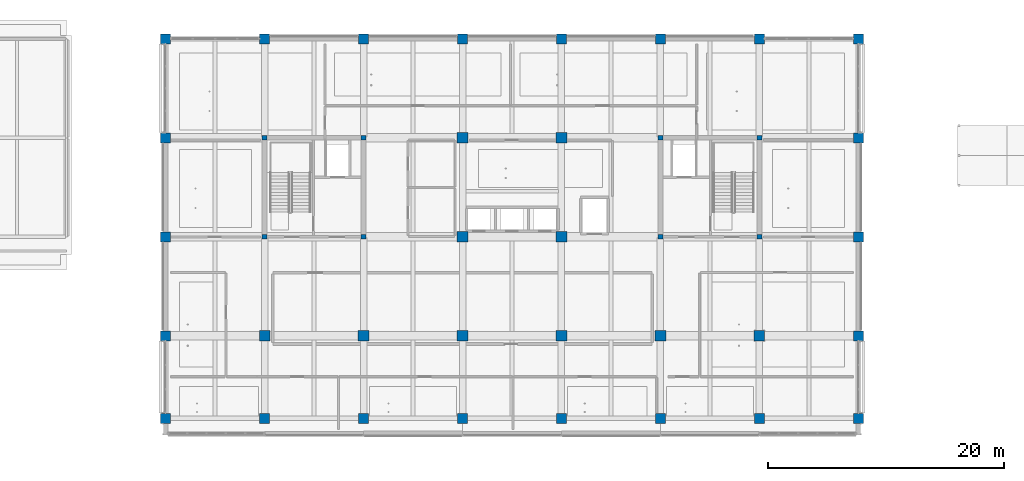
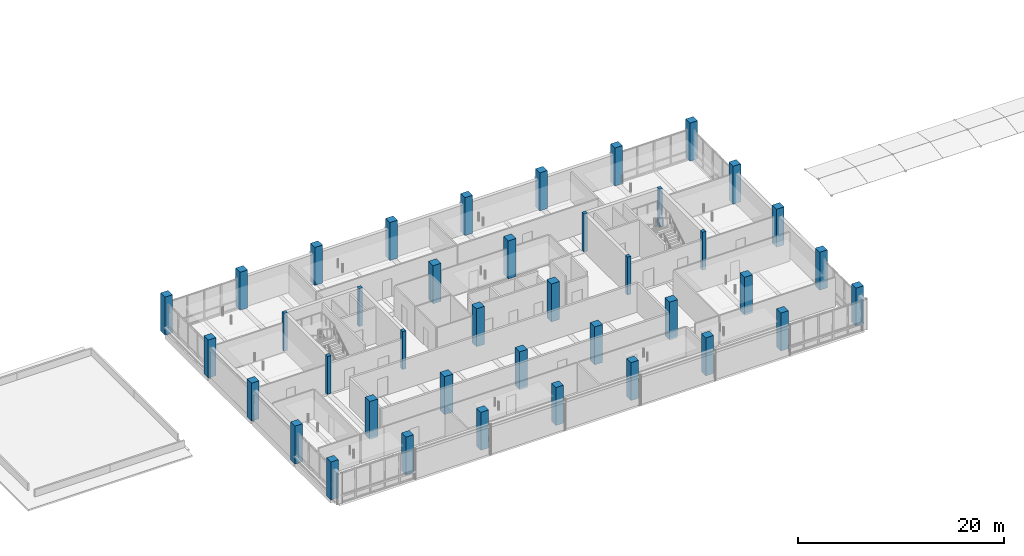
# One storey, part 1 of 39: 40 columns.
"""IFC4 building model written with IfcOpenShell, lengths in metres."""

import ifcopenshell
import ifcopenshell.guid

model = None  # the IFC model being written
_history = None  # IfcOwnerHistory: only IFC2X3 demands one
_inside = {}  # id of a spatial element -> (the spatial element, [elements in it])
_under = {}  # id of a project, library or spatial element -> (it, [spatial elements below it])
_declared = {}  # id of a project -> (the project, [libraries it declares])
_typed = {}  # id of a type object -> (the type object, [elements of that type])
_made_of = {}  # id of a material, layer set ... -> (it, [elements and type objects made of it])


def new_model(schema):
    """Start an empty IFC model of exactly this schema.

    Asked for "IFC4X3", IfcOpenShell would pick the latest addendum, in which some entities
    have other attributes; the version numbers below select the first issue.
    IFC2X3 requires an IfcOwnerHistory on every rooted entity: one is made here for all.
    """
    global model, _history
    if schema == "IFC4X3":
        model = ifcopenshell.file(schema_version=(4, 3, 0, 0))
    else:
        model = ifcopenshell.file(schema=schema)
    _inside.clear()
    _under.clear()
    _declared.clear()
    _typed.clear()
    _made_of.clear()
    _history = None
    if model.schema == "IFC2X3":
        org = make("IfcOrganization", Name="unknown")
        user = make(
            "IfcPersonAndOrganization",
            ThePerson=make("IfcPerson", FamilyName="unknown"),
            TheOrganization=org,
        )
        app = make(
            "IfcApplication",
            ApplicationDeveloper=org,
            Version="unknown",
            ApplicationFullName="unknown",
            ApplicationIdentifier="unknown",
        )
        _history = make(
            "IfcOwnerHistory",
            OwningUser=user,
            OwningApplication=app,
            ChangeAction="ADDED",
            CreationDate=0,
        )
    return model


def make(cls, **values):
    """One entity of the class cls with the attributes given. An attribute that is None is left unset."""
    return model.create_entity(
        cls, **{name: value for name, value in values.items() if value is not None}
    )


def rooted(cls, **values):
    """An entity with a GlobalId (a new one), such as an element, a storey or a relation."""
    return make(cls, GlobalId=ifcopenshell.guid.new(), OwnerHistory=_history, **values)


def si_unit(unit_type, name, prefix=None):
    """IfcSIUnit, for example si_unit("LENGTHUNIT", "METRE", prefix="MILLI")."""
    return make("IfcSIUnit", UnitType=unit_type, Prefix=prefix, Name=name)


def assignment(units):
    """IfcUnitAssignment: the units of a project."""
    return None if units is None else make("IfcUnitAssignment", Units=units)


def point(xyz):
    """IfcCartesianPoint."""
    return None if xyz is None else make("IfcCartesianPoint", Coordinates=xyz)


def direction(xyz):
    """IfcDirection."""
    return None if xyz is None else make("IfcDirection", DirectionRatios=xyz)


def frame(location, z_axis=None, x_axis=None):
    """IfcAxis2Placement3D, a coordinate frame: its origin and axes. An axis left out is left unset."""
    return make(
        "IfcAxis2Placement3D",
        Location=point(location),
        Axis=direction(z_axis),
        RefDirection=direction(x_axis),
    )


def frame_2d(location, x_axis=None):
    """IfcAxis2Placement2D, a coordinate frame in the plane: its origin and x axis."""
    return make(
        "IfcAxis2Placement2D", Location=point(location), RefDirection=direction(x_axis)
    )


def origin():
    """The frame at (0, 0, 0) with its axes left unset."""
    return frame((0.0, 0.0, 0.0))


def origin_2d():
    """The frame at (0, 0) in the plane with its x axis left unset."""
    return frame_2d((0.0, 0.0))


def place(relative_to, where):
    """IfcLocalPlacement: puts the frame where relative to a parent placement (None: the world)."""
    return make(
        "IfcLocalPlacement", PlacementRelTo=relative_to, RelativePlacement=where
    )


def context(
    kind, dimensions, precision=None, world=None, true_north=None, identifier=None
):
    """IfcGeometricRepresentationContext, for example the 3D "Model" context."""
    return make(
        "IfcGeometricRepresentationContext",
        ContextIdentifier=identifier,
        ContextType=kind,
        CoordinateSpaceDimension=dimensions,
        Precision=precision,
        WorldCoordinateSystem=world,
        TrueNorth=true_north,
    )


def subcontext(parent, identifier, kind, view, scale=None):
    """IfcGeometricRepresentationSubContext, for example "Body" below "Model"."""
    return make(
        "IfcGeometricRepresentationSubContext",
        ContextIdentifier=identifier,
        ContextType=kind,
        ParentContext=parent,
        TargetScale=scale,
        TargetView=view,
    )


def project(units=None, contexts=None):
    """IfcProject with its units and contexts."""
    return rooted(
        "IfcProject",
        Name="project",
        RepresentationContexts=contexts,
        UnitsInContext=assignment(units),
    )


def spatial(cls, under=None, at=None, **own):
    """A site, building, storey or space (cls), placed at a placement, below another one or the project."""
    s = rooted(cls, ObjectPlacement=at, **own)
    if under is not None:
        _under.setdefault(under.id(), (under, []))[1].append(s)
    return s


def profile(cls, at=None, kind="AREA", **sizes):
    """A parametric profile (cls). Its sizes go by their IFC names, for example OverallWidth=200.0."""
    return make(cls, ProfileType=kind, Position=at, **sizes)


def rectangle(**sizes):
    """IfcRectangleProfileDef."""
    return profile("IfcRectangleProfileDef", **sizes)


def extrude(swept, where, along, depth):
    """IfcExtrudedAreaSolid: the profile swept, set in the frame where, extruded along a direction by depth."""
    return make(
        "IfcExtrudedAreaSolid",
        SweptArea=swept,
        Position=where,
        ExtrudedDirection=direction(along),
        Depth=depth,
    )


def shape(context_of_items, identifier, shape_type, items):
    """IfcShapeRepresentation: the items that make up one representation, for example the "Body"."""
    return make(
        "IfcShapeRepresentation",
        ContextOfItems=context_of_items,
        RepresentationIdentifier=identifier,
        RepresentationType=shape_type,
        Items=items,
    )


def material(Name=None, Category=None):
    """IfcMaterial."""
    return make("IfcMaterial", Name=Name, Category=Category)


def material_profile(
    of_material, cross_section, Name=None, Category=None, Priority=None
):
    """IfcMaterialProfile: a cross section and its material."""
    return make(
        "IfcMaterialProfile",
        Name=Name,
        Material=of_material,
        Profile=cross_section,
        Priority=Priority,
        Category=Category,
    )


def profile_set(profiles, Name=None, composite=None):
    """IfcMaterialProfileSet."""
    return make(
        "IfcMaterialProfileSet",
        Name=Name,
        MaterialProfiles=profiles,
        CompositeProfile=composite,
    )


def made_of(thing, what):
    """Note that an element or type object is made of a material, layer set ...; save() writes the relation."""
    if what is not None:
        _made_of.setdefault(what.id(), (what, []))[1].append(thing)
    return thing


def type_object(cls, material=None, **own):
    """A type object (cls), such as IfcWallType, which elements share."""
    return made_of(rooted(cls, **own), material)


def element(
    cls,
    number,
    at=None,
    inside=None,
    cuts=None,
    type_object=None,
    material=None,
    context=None,
    identifier="Body",
    shape_type=None,
    held_by="IfcProductDefinitionShape",
    body=None,
    shapes=None,
    **own,
):
    """One element of the class cls, such as IfcWall. Its Tag is "e" and its number.

    at: its placement. inside: the storey or other place that contains it. cuts: it is an
    opening in that element (IfcRelVoidsElement). A single representation is given by context,
    identifier, shape_type and body (its items); several are given by shapes. held_by: the class
    of the entity that holds the representations. save() writes the other relations.
    """
    e = rooted(cls, Tag="e%d" % number, ObjectPlacement=at, **own)
    if body is not None:
        shapes = [shape(context, identifier, shape_type, body)]
    if shapes is not None:
        e.Representation = make(held_by, Representations=shapes)
    if inside is not None:
        _inside.setdefault(inside.id(), (inside, []))[1].append(e)
    if cuts is not None:
        rooted(
            "IfcRelVoidsElement", RelatingBuildingElement=cuts, RelatedOpeningElement=e
        )
    if type_object is not None:
        _typed.setdefault(type_object.id(), (type_object, []))[1].append(e)
    return made_of(e, material)


def aggregate(whole, parts):
    """IfcRelAggregates: a whole, such as a stair, and the parts it consists of."""
    return rooted("IfcRelAggregates", RelatingObject=whole, RelatedObjects=parts)


def save(model, path):
    """Write the relations noted so far, then the file.

    IfcRelAggregates (storeys below a building ...), IfcRelContainedInSpatialStructure (elements
    in a storey), IfcRelDefinesByType, IfcRelAssociatesMaterial and IfcRelDeclares: one each for
    every whole, place, type object, material and project.
    """
    for whole, parts in _under.values():
        aggregate(whole, parts)
    for where, things in _inside.values():
        rooted(
            "IfcRelContainedInSpatialStructure",
            RelatedElements=things,
            RelatingStructure=where,
        )
    for kind, things in _typed.values():
        rooted("IfcRelDefinesByType", RelatedObjects=things, RelatingType=kind)
    for what, things in _made_of.values():
        rooted("IfcRelAssociatesMaterial", RelatedObjects=things, RelatingMaterial=what)
    for by, libraries in _declared.values():
        rooted("IfcRelDeclares", RelatingContext=by, RelatedDefinitions=libraries)
    model.write(path)


model = new_model("IFC4")

# Units and contexts
model_context = context("Model", 3, precision=1e-05, world=origin(), true_north=direction((0.0, 1.0)))
body_context = subcontext(model_context, "Body", "Model", "MODEL_VIEW")
ifc_project = project(units=[si_unit("LENGTHUNIT", "METRE"), si_unit("AREAUNIT", "SQUARE_METRE"), si_unit("VOLUMEUNIT", "CUBIC_METRE"), si_unit("PLANEANGLEUNIT", "RADIAN"), si_unit("MASSUNIT", "GRAM", prefix="KILO")], contexts=[model_context])

# Site, building, storey
site_placement = place(None, origin())
site = spatial("IfcSite", under=ifc_project, at=site_placement, CompositionType="ELEMENT")
building_placement = place(site_placement, origin())
building = spatial("IfcBuilding", under=site, at=building_placement, Name="Telukmera Botanical Conservatory", CompositionType="ELEMENT")
storey_placement = place(building_placement, frame((0.0, 0.0, 19.5)))
storey = spatial("IfcBuildingStorey", under=building, at=storey_placement, Name="L04", CompositionType="ELEMENT", Elevation=19.5)

# Columns
ifc_material = material(Name="Concrete C50/60", Category="concrete")
ifc_material_profile_1 = material_profile(ifc_material, rectangle(XDim=0.39990234375, YDim=0.39990234375, at=origin_2d()), Name="RC 400x400")
ifc_profile_set_1 = profile_set([ifc_material_profile_1], Name="Concrete C50/60")
column_type_1 = type_object("IfcColumnType", Name="Col_C14", PredefinedType="COLUMN", material=ifc_profile_set_1)
for number, where, z_axis, x_axis, name in (
    (1, (58.800048828125, 26.0, 0.0), (0.0, 0.0, 1.0), (1.0, 0.0, 0.0), "Column V4-L04 (58.8,26.0)"),
    (2, (58.800048828125, 34.39990234375, 0.0), (0.0, 0.0, 1.0), (1.0, 0.0, 0.0), "Column V4-L04 (58.8,34.4)"),
    (3, (67.199951171875, 26.0, 0.0), (0.0, 0.0, 1.0), (1.0, 0.0, 0.0), "Column V4-L04 (67.2,26.0)"),
    (4, (67.199951171875, 34.39990234375, 0.0), (0.0, 0.0, 1.0), (1.0, 0.0, 0.0), "Column V4-L04 (67.2,34.4)"),
    (5, (92.39990234375, 26.0, 0.0), (0.0, 0.0, 1.0), (1.0, 0.0, 0.0), "Column V4-L04 (92.4,26.0)"),
    (6, (92.39990234375, 34.39990234375, 0.0), (0.0, 0.0, 1.0), (1.0, 0.0, 0.0), "Column V4-L04 (92.4,34.4)"),
    (7, (100.800048828125, 26.0, 0.0), (0.0, 0.0, 1.0), (1.0, 0.0, 0.0), "Column V4-L04 (100.8,26.0)"),
    (8, (100.800048828125, 34.39990234375, 0.0), (0.0, 0.0, 1.0), (1.0, 0.0, 0.0), "Column V4-L04 (100.8,34.4)"),
):
    element("IfcColumn", number, at=place(storey_placement, frame(where, z_axis=z_axis, x_axis=x_axis)), inside=storey, type_object=column_type_1, Name=name, PredefinedType="COLUMN", context=body_context, shape_type="SweptSolid", body=[
        extrude(rectangle(XDim=0.39990234375, YDim=0.39990234375, at=origin_2d()), origin(), (0.0, 0.0, 1.0), 4.5),
    ])
ifc_material_profile_2 = material_profile(ifc_material, rectangle(XDim=0.89990234375, YDim=0.89990234375, at=origin_2d()), Name="RC 900x900")
ifc_profile_set_2 = profile_set([ifc_material_profile_2], Name="Concrete C50/60")
column_type_2 = type_object("IfcColumnType", Name="Col_C5", PredefinedType="COLUMN", material=ifc_profile_set_2)
for number, where, z_axis, x_axis, name in (
    (9, (58.800048828125, 17.60009765625, 0.0), (0.0, 0.0, 1.0), (1.0, 0.0, 0.0), "Column V4-L04 (58.8,17.6)"),
    (10, (67.199951171875, 17.60009765625, 0.0), (0.0, 0.0, 1.0), (1.0, 0.0, 0.0), "Column V4-L04 (67.2,17.6)"),
    (11, (75.60009765625, 17.60009765625, 0.0), (0.0, 0.0, 1.0), (1.0, 0.0, 0.0), "Column V4-L04 (75.6,17.6)"),
    (12, (75.60009765625, 26.0, 0.0), (0.0, 0.0, 1.0), (1.0, 0.0, 0.0), "Column V4-L04 (75.6,26.0)"),
    (13, (75.60009765625, 34.39990234375, 0.0), (0.0, 0.0, 1.0), (1.0, 0.0, 0.0), "Column V4-L04 (75.6,34.4)"),
    (14, (84.0, 17.60009765625, 0.0), (0.0, 0.0, 1.0), (1.0, 0.0, 0.0), "Column V4-L04 (84.0,17.6)"),
    (15, (84.0, 26.0, 0.0), (0.0, 0.0, 1.0), (1.0, 0.0, 0.0), "Column V4-L04 (84.0,26.0)"),
    (16, (84.0, 34.39990234375, 0.0), (0.0, 0.0, 1.0), (1.0, 0.0, 0.0), "Column V4-L04 (84.0,34.4)"),
    (17, (92.39990234375, 17.60009765625, 0.0), (0.0, 0.0, 1.0), (1.0, 0.0, 0.0), "Column V4-L04 (92.4,17.6)"),
    (18, (100.800048828125, 17.60009765625, 0.0), (0.0, 0.0, 1.0), (1.0, 0.0, 0.0), "Column V4-L04 (100.8,17.6)"),
):
    element("IfcColumn", number, at=place(storey_placement, frame(where, z_axis=z_axis, x_axis=x_axis)), inside=storey, type_object=column_type_2, Name=name, PredefinedType="COLUMN", context=body_context, shape_type="SweptSolid", body=[
        extrude(rectangle(XDim=0.89990234375, YDim=0.89990234375, at=origin_2d()), origin(), (0.0, 0.0, 1.0), 4.5),
    ])
ifc_material_profile_3 = material_profile(ifc_material, rectangle(XDim=0.85009765625, YDim=0.85009765625, at=origin_2d()), Name="RC 850x850")
ifc_profile_set_3 = profile_set([ifc_material_profile_3], Name="Concrete C50/60")
column_type_3 = type_object("IfcColumnType", Name="Col_C6", PredefinedType="COLUMN", material=ifc_profile_set_3)
for number, where, z_axis, x_axis, name in (
    (19, (50.39990234375, 10.60009765625, 0.0), (0.0, 0.0, 1.0), (1.0, 0.0, 0.0), "Column V4-L04 (50.4,10.6)"),
    (20, (50.39990234375, 17.60009765625, 0.0), (0.0, 0.0, 1.0), (1.0, 0.0, 0.0), "Column V4-L04 (50.4,17.6)"),
    (21, (50.39990234375, 26.0, 0.0), (0.0, 0.0, 1.0), (1.0, 0.0, 0.0), "Column V4-L04 (50.4,26.0)"),
    (22, (50.39990234375, 34.39990234375, 0.0), (0.0, 0.0, 1.0), (1.0, 0.0, 0.0), "Column V4-L04 (50.4,34.4)"),
    (23, (50.39990234375, 42.800048828125, 0.0), (0.0, 0.0, 1.0), (1.0, 0.0, 0.0), "Column V4-L04 (50.4,42.8)"),
    (24, (58.800048828125, 10.60009765625, 0.0), (0.0, 0.0, 1.0), (1.0, 0.0, 0.0), "Column V4-L04 (58.8,10.6)"),
    (25, (58.800048828125, 42.800048828125, 0.0), (0.0, 0.0, 1.0), (1.0, 0.0, 0.0), "Column V4-L04 (58.8,42.8)"),
    (26, (67.199951171875, 10.60009765625, 0.0), (0.0, 0.0, 1.0), (1.0, 0.0, 0.0), "Column V4-L04 (67.2,10.6)"),
    (27, (67.199951171875, 42.800048828125, 0.0), (0.0, 0.0, 1.0), (1.0, 0.0, 0.0), "Column V4-L04 (67.2,42.8)"),
    (28, (75.60009765625, 10.60009765625, 0.0), (0.0, 0.0, 1.0), (1.0, 0.0, 0.0), "Column V4-L04 (75.6,10.6)"),
    (29, (75.60009765625, 42.800048828125, 0.0), (0.0, 0.0, 1.0), (1.0, 0.0, 0.0), "Column V4-L04 (75.6,42.8)"),
    (30, (84.0, 10.60009765625, 0.0), (0.0, 0.0, 1.0), (1.0, 0.0, 0.0), "Column V4-L04 (84.0,10.6)"),
    (31, (84.0, 42.800048828125, 0.0), (0.0, 0.0, 1.0), (1.0, 0.0, 0.0), "Column V4-L04 (84.0,42.8)"),
    (32, (92.39990234375, 10.60009765625, 0.0), (0.0, 0.0, 1.0), (1.0, 0.0, 0.0), "Column V4-L04 (92.4,10.6)"),
    (33, (92.39990234375, 42.800048828125, 0.0), (0.0, 0.0, 1.0), (1.0, 0.0, 0.0), "Column V4-L04 (92.4,42.8)"),
    (34, (100.800048828125, 10.60009765625, 0.0), (0.0, 0.0, 1.0), (1.0, 0.0, 0.0), "Column V4-L04 (100.8,10.6)"),
    (35, (100.800048828125, 42.800048828125, 0.0), (0.0, 0.0, 1.0), (1.0, 0.0, 0.0), "Column V4-L04 (100.8,42.8)"),
    (36, (109.199951171875, 10.60009765625, 0.0), (0.0, 0.0, 1.0), (1.0, 0.0, 0.0), "Column V4-L04 (109.2,10.6)"),
    (37, (109.199951171875, 17.60009765625, 0.0), (0.0, 0.0, 1.0), (1.0, 0.0, 0.0), "Column V4-L04 (109.2,17.6)"),
    (38, (109.199951171875, 26.0, 0.0), (0.0, 0.0, 1.0), (1.0, 0.0, 0.0), "Column V4-L04 (109.2,26.0)"),
    (39, (109.199951171875, 34.39990234375, 0.0), (0.0, 0.0, 1.0), (1.0, 0.0, 0.0), "Column V4-L04 (109.2,34.4)"),
    (40, (109.199951171875, 42.800048828125, 0.0), (0.0, 0.0, 1.0), (1.0, 0.0, 0.0), "Column V4-L04 (109.2,42.8)"),
):
    element("IfcColumn", number, at=place(storey_placement, frame(where, z_axis=z_axis, x_axis=x_axis)), inside=storey, type_object=column_type_3, Name=name, PredefinedType="COLUMN", context=body_context, shape_type="SweptSolid", body=[
        extrude(rectangle(XDim=0.85009765625, YDim=0.85009765625, at=origin_2d()), origin(), (0.0, 0.0, 1.0), 4.5),
    ])

save(model, "model.ifc")
